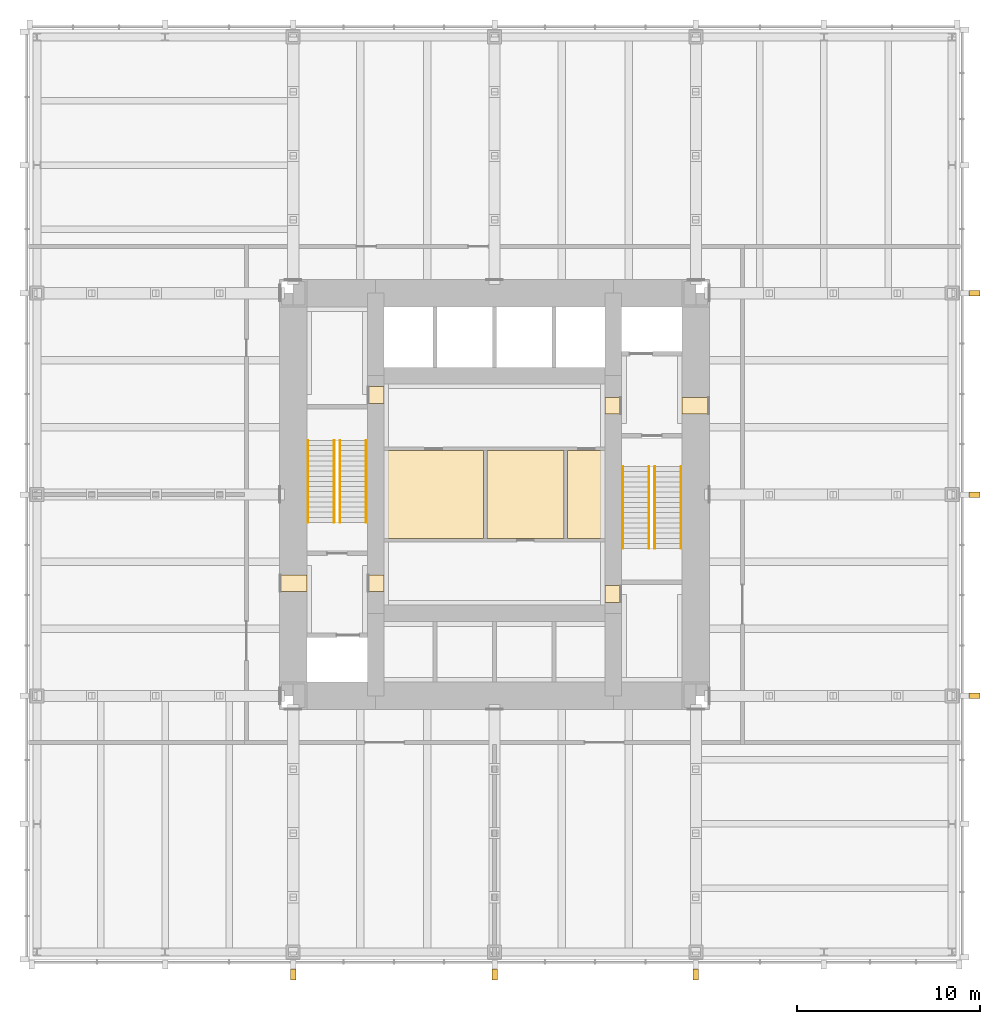
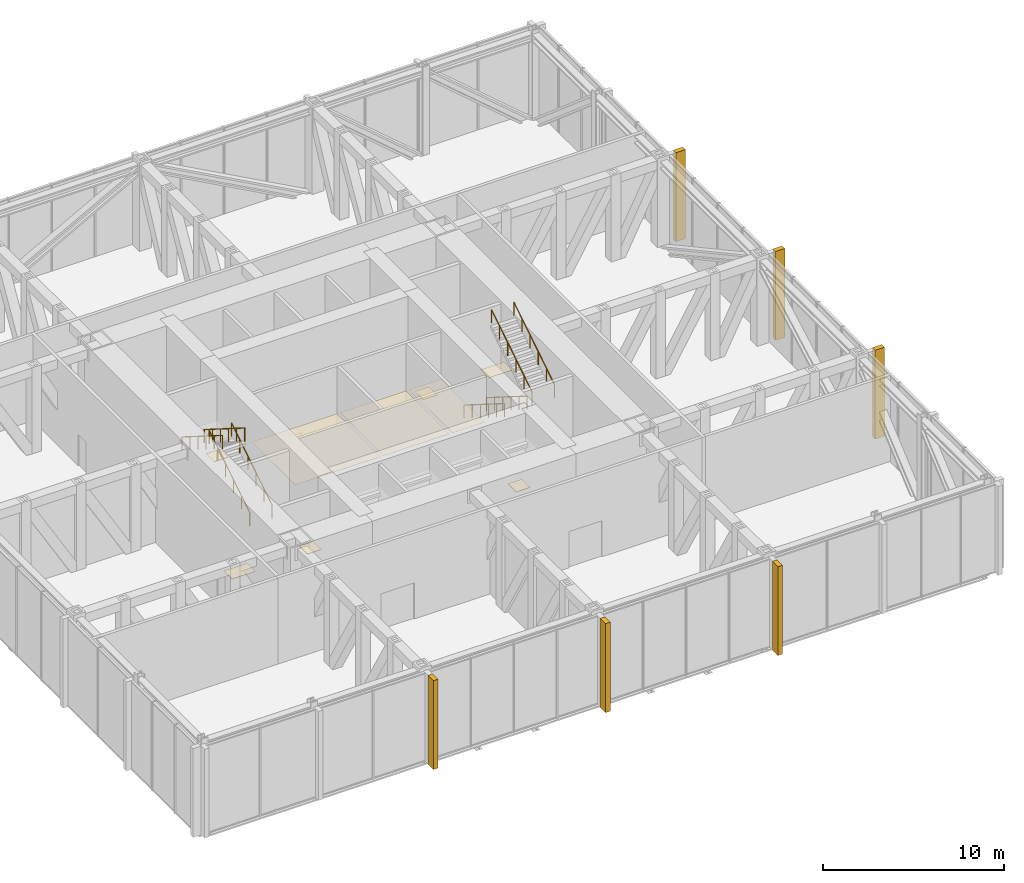
# One storey, part 13 of 13: 15 coverings, 8 railings.
"""IFC4 building model written with IfcOpenShell, lengths in metres."""

from ifc_helpers import new_model, si_unit, direction, frame, origin, origin_2d, place, context, subcontext, project, spatial, polyline, rectangle, circle, outline, extrude, material, layer, layer_set, type_object, element, save


model = new_model("IFC4")

# Units and contexts
model_context = context("Model", 3, precision=1e-05, world=origin(), true_north=direction((0.0, 1.0)))
body_context = subcontext(model_context, "Body", "Model", "MODEL_VIEW")
ifc_project = project(units=[si_unit("LENGTHUNIT", "METRE"), si_unit("AREAUNIT", "SQUARE_METRE"), si_unit("VOLUMEUNIT", "CUBIC_METRE"), si_unit("PLANEANGLEUNIT", "RADIAN"), si_unit("MASSUNIT", "GRAM", prefix="KILO")], contexts=[model_context])

# Site, building, storey
site_placement = place(None, origin())
site = spatial("IfcSite", under=ifc_project, at=site_placement, CompositionType="ELEMENT")
building_placement = place(site_placement, origin())
building = spatial("IfcBuilding", under=site, at=building_placement, Name="Trevanion Tower", CompositionType="ELEMENT")
storey_placement = place(building_placement, frame((0.0, 0.0, 89.800048828125)))
storey = spatial("IfcBuildingStorey", under=building, at=storey_placement, Name="L21", CompositionType="ELEMENT", Elevation=89.800048828125)

# Coverings
ifc_material_1 = material(Name="Moisture-resistant gypsum board on suspended metal furring", Category="gypsum")
ifc_layer_1 = layer(ifc_material_1, 0.01611328125)
ifc_layer_set_1 = layer_set([ifc_layer_1], Name="CL4 moisture-resistant board ceiling 16")
covering_type_1 = type_object("IfcCoveringType", Name="CL4 moisture-resistant board ceiling 16", PredefinedType="CEILING", material=ifc_layer_set_1)
covering_1_placement = place(storey_placement, frame((0.0, 0.0, 2.599853515625)))
element("IfcCovering", 1, at=covering_1_placement, inside=storey, type_object=covering_type_1, Name="CL4 L21-WCM", PredefinedType="CEILING", context=body_context, shape_type="SweptSolid", body=[
    extrude(outline(polyline([(-0.60009765625, -2.39990234375), (-0.60009765625, 2.39990234375), (-6.050048828125, 2.39990234375), (-6.050048828125, -2.39990234375), (-0.60009765625, -2.39990234375)])), origin(), (0.0, 0.0, 1.0), 0.01611328125),
])
covering_2_placement = place(storey_placement, frame((0.0, 0.0, 2.599853515625)))
element("IfcCovering", 2, at=covering_2_placement, inside=storey, type_object=covering_type_1, Name="CL4 L21-WCF", PredefinedType="CEILING", context=body_context, shape_type="SweptSolid", body=[
    extrude(outline(polyline([(3.800048828125, -2.39990234375), (3.800048828125, 2.39990234375), (-0.39990234375, 2.39990234375), (-0.39990234375, -2.39990234375), (3.800048828125, -2.39990234375)])), origin(), (0.0, 0.0, 1.0), 0.01611328125),
])
covering_3_placement = place(storey_placement, frame((0.0, 0.0, 2.599853515625)))
element("IfcCovering", 3, at=covering_3_placement, inside=storey, type_object=covering_type_1, Name="CL4 L21-WCA", PredefinedType="CEILING", context=body_context, shape_type="SweptSolid", body=[
    extrude(outline(polyline([(6.050048828125, -2.39990234375), (6.050048828125, 2.39990234375), (4.0, 2.39990234375), (4.0, -2.39990234375), (6.050048828125, -2.39990234375)])), origin(), (0.0, 0.0, 1.0), 0.01611328125),
])
ifc_material_2 = material(Name="Cast bronze fin on aluminium carrier", Category="aluminium")
covering_type_2 = type_object("IfcCoveringType", Name="F1 bronze fin", PredefinedType="CLADDING", material=ifc_material_2)
for number, where, z_axis, x_axis, name in (
    (4, (26.22509765625, -11.0, -0.18994140625), (0.0, 0.0, 1.0), (0.0, 1.0, 0.0), "F1 L21 east -11.0"),
    (5, (26.22509765625, 0.0, -0.18994140625), (0.0, 0.0, 1.0), (0.0, 1.0, 0.0), "F1 L21 east +0.0"),
    (6, (26.22509765625, 11.0, -0.18994140625), (0.0, 0.0, 1.0), (0.0, 1.0, 0.0), "F1 L21 east +11.0"),
    (7, (-11.0, -26.22509765625, -0.18994140625), (0.0, 0.0, 1.0), (1.0, 0.0, 0.0), "F1 L21 south -11.0"),
    (8, (0.0, -26.22509765625, -0.18994140625), (0.0, 0.0, 1.0), (1.0, 0.0, 0.0), "F1 L21 south +0.0"),
    (9, (11.0, -26.22509765625, -0.18994140625), (0.0, 0.0, 1.0), (1.0, 0.0, 0.0), "F1 L21 south +11.0"),
):
    element("IfcCovering", number, at=place(storey_placement, frame(where, z_axis=z_axis, x_axis=x_axis)), inside=storey, type_object=covering_type_2, Name=name, PredefinedType="CLADDING", context=body_context, shape_type="SweptSolid", body=[
        extrude(rectangle(XDim=0.300048828125, YDim=0.60009765625, at=origin_2d()), origin(), (0.0, 0.0, 1.0), 6.0),
    ])
ifc_material_3 = material(Name="Terrazzo, brass divider strips", Category="stone")
ifc_layer_2 = layer(ifc_material_3, 0.02001953125)
ifc_layer_set_2 = layer_set([ifc_layer_2], Name="FF1 terrazzo flooring")
covering_type_3 = type_object("IfcCoveringType", Name="FF1 terrazzo flooring", PredefinedType="FLOORING", material=ifc_layer_set_2)
covering_4_placement = place(storey_placement, origin())
element("IfcCovering", 10, at=covering_4_placement, inside=storey, type_object=covering_type_3, Name="FF1 threshold 21-001", PredefinedType="FLOORING", context=body_context, shape_type="SweptSolid", body=[
    extrude(outline(polyline([(11.75, 4.392578125), (11.75, 5.3076171875), (10.25, 5.3076171875), (10.25, 4.392578125), (11.75, 4.392578125)])), origin(), (0.0, 0.0, 1.0), 0.02001953125),
])
covering_5_placement = place(storey_placement, origin())
element("IfcCovering", 11, at=covering_5_placement, inside=storey, type_object=covering_type_3, Name="FF1 threshold 21-002", PredefinedType="FLOORING", context=body_context, shape_type="SweptSolid", body=[
    extrude(outline(polyline([(-11.75, -4.392578125), (-11.75, -5.3076171875), (-10.25, -5.3076171875), (-10.25, -4.392578125), (-11.75, -4.392578125)])), origin(), (0.0, 0.0, 1.0), 0.02001953125),
])
covering_6_placement = place(storey_placement, origin())
element("IfcCovering", 12, at=covering_6_placement, inside=storey, type_object=covering_type_3, Name="FF1 threshold 21-003", PredefinedType="FLOORING", context=body_context, shape_type="SweptSolid", body=[
    extrude(outline(polyline([(6.949951171875, 4.392578125), (6.949951171875, 5.3076171875), (6.050048828125, 5.3076171875), (6.050048828125, 4.392578125), (6.949951171875, 4.392578125)])), origin(), (0.0, 0.0, 1.0), 0.02001953125),
])
covering_7_placement = place(storey_placement, origin())
element("IfcCovering", 13, at=covering_7_placement, inside=storey, type_object=covering_type_3, Name="FF1 threshold 21-004", PredefinedType="FLOORING", context=body_context, shape_type="SweptSolid", body=[
    extrude(outline(polyline([(-6.949951171875, -4.392578125), (-6.949951171875, -5.3076171875), (-6.050048828125, -5.3076171875), (-6.050048828125, -4.392578125), (-6.949951171875, -4.392578125)])), origin(), (0.0, 0.0, 1.0), 0.02001953125),
])
covering_8_placement = place(storey_placement, origin())
element("IfcCovering", 14, at=covering_8_placement, inside=storey, type_object=covering_type_3, Name="FF1 threshold 21-009", PredefinedType="FLOORING", context=body_context, shape_type="SweptSolid", body=[
    extrude(outline(polyline([(6.949951171875, -5.889892578125), (6.949951171875, -4.97509765625), (6.050048828125, -4.97509765625), (6.050048828125, -5.889892578125), (6.949951171875, -5.889892578125)])), origin(), (0.0, 0.0, 1.0), 0.02001953125),
])
covering_9_placement = place(storey_placement, origin())
element("IfcCovering", 15, at=covering_9_placement, inside=storey, type_object=covering_type_3, Name="FF1 threshold 21-010", PredefinedType="FLOORING", context=body_context, shape_type="SweptSolid", body=[
    extrude(outline(polyline([(-6.949951171875, 5.889892578125), (-6.949951171875, 4.97509765625), (-6.050048828125, 4.97509765625), (-6.050048828125, 5.889892578125), (-6.949951171875, 5.889892578125)])), origin(), (0.0, 0.0, 1.0), 0.02001953125),
])

# Railings
ifc_material_4 = material(Name="Stainless steel tube 40 mm", Category="steel")
railing_type = type_object("IfcRailingType", Name="HR1 handrail", PredefinedType="HANDRAIL", material=ifc_material_4)
for number, where, name in (
    (16, (7.010009765625, 1.52490234375, 0.176513671875), "HR1 ST1 L21 flight 1"),
    (17, (8.43994140625, 1.52490234375, 0.176513671875), "HR1 ST1 L21 flight 1"),
):
    element("IfcRailing", number, at=place(storey_placement, frame(where)), inside=storey, type_object=railing_type, Name=name, PredefinedType="HANDRAIL", context=body_context, shape_type="SweptSolid", body=[
        extrude(circle(Radius=0.02001953125, at=origin_2d()), frame((0.0, 0.0, 0.8798828125), z_axis=(0.0, -0.845997938375, 0.533186166611), x_axis=(1.0, 0.0, 0.0)), (0.0, 0.0, 1.0), 5.29541015625),
        extrude(circle(Radius=0.01513671875, at=origin_2d()), origin(), (0.0, 0.0, 1.0), 0.85986328125),
        extrude(circle(Radius=0.01513671875, at=origin_2d()), frame((0.0, -0.89599609375, 0.564697265625)), (0.0, 0.0, 1.0), 0.85986328125),
        extrude(circle(Radius=0.01513671875, at=origin_2d()), frame((0.0, -1.7919921875, 1.12939453125)), (0.0, 0.0, 1.0), 0.85986328125),
        extrude(circle(Radius=0.01513671875, at=origin_2d()), frame((0.0, -2.68798828125, 1.694091796875)), (0.0, 0.0, 1.0), 0.85986328125),
        extrude(circle(Radius=0.01513671875, at=origin_2d()), frame((0.0, -3.583984375, 2.2587890625)), (0.0, 0.0, 1.0), 0.85986328125),
        extrude(circle(Radius=0.01513671875, at=origin_2d()), frame((0.0, -4.47998046875, 2.823486328125)), (0.0, 0.0, 1.0), 0.85986328125),
    ])
for number, where, name in (
    (18, (8.760009765625, -2.955078125, 3.176513671875), "HR1 ST1 L21 flight 2"),
    (19, (10.18994140625, -2.955078125, 3.176513671875), "HR1 ST1 L21 flight 2"),
    (20, (-7.010009765625, -1.52490234375, 0.176513671875), "HR1 ST2 L21 flight 1"),
    (21, (-8.43994140625, -1.52490234375, 0.176513671875), "HR1 ST2 L21 flight 1"),
):
    element("IfcRailing", number, at=place(storey_placement, frame(where)), inside=storey, type_object=railing_type, Name=name, PredefinedType="HANDRAIL", context=body_context, shape_type="SweptSolid", body=[
        extrude(circle(Radius=0.02001953125, at=origin_2d()), frame((0.0, 0.0, 0.8798828125), z_axis=(0.0, 0.845997938375, 0.533186166611), x_axis=(-1.0, 0.0, 0.0)), (0.0, 0.0, 1.0), 5.29541015625),
        extrude(circle(Radius=0.01513671875, at=origin_2d()), origin(), (0.0, 0.0, 1.0), 0.85986328125),
        extrude(circle(Radius=0.01513671875, at=origin_2d()), frame((0.0, 0.89599609375, 0.564697265625)), (0.0, 0.0, 1.0), 0.85986328125),
        extrude(circle(Radius=0.01513671875, at=origin_2d()), frame((0.0, 1.7919921875, 1.12939453125)), (0.0, 0.0, 1.0), 0.85986328125),
        extrude(circle(Radius=0.01513671875, at=origin_2d()), frame((0.0, 2.68798828125, 1.694091796875)), (0.0, 0.0, 1.0), 0.85986328125),
        extrude(circle(Radius=0.01513671875, at=origin_2d()), frame((0.0, 3.583984375, 2.2587890625)), (0.0, 0.0, 1.0), 0.85986328125),
        extrude(circle(Radius=0.01513671875, at=origin_2d()), frame((0.0, 4.47998046875, 2.823486328125)), (0.0, 0.0, 1.0), 0.85986328125),
    ])
for number, where, name in (
    (22, (-8.760009765625, 2.955078125, 3.176513671875), "HR1 ST2 L21 flight 2"),
    (23, (-10.18994140625, 2.955078125, 3.176513671875), "HR1 ST2 L21 flight 2"),
):
    element("IfcRailing", number, at=place(storey_placement, frame(where)), inside=storey, type_object=railing_type, Name=name, PredefinedType="HANDRAIL", context=body_context, shape_type="SweptSolid", body=[
        extrude(circle(Radius=0.02001953125, at=origin_2d()), frame((0.0, 0.0, 0.8798828125), z_axis=(0.0, -0.845997938375, 0.533186166611), x_axis=(1.0, 0.0, 0.0)), (0.0, 0.0, 1.0), 5.29541015625),
        extrude(circle(Radius=0.01513671875, at=origin_2d()), origin(), (0.0, 0.0, 1.0), 0.85986328125),
        extrude(circle(Radius=0.01513671875, at=origin_2d()), frame((0.0, -0.89599609375, 0.564697265625)), (0.0, 0.0, 1.0), 0.85986328125),
        extrude(circle(Radius=0.01513671875, at=origin_2d()), frame((0.0, -1.7919921875, 1.12939453125)), (0.0, 0.0, 1.0), 0.85986328125),
        extrude(circle(Radius=0.01513671875, at=origin_2d()), frame((0.0, -2.68798828125, 1.694091796875)), (0.0, 0.0, 1.0), 0.85986328125),
        extrude(circle(Radius=0.01513671875, at=origin_2d()), frame((0.0, -3.583984375, 2.2587890625)), (0.0, 0.0, 1.0), 0.85986328125),
        extrude(circle(Radius=0.01513671875, at=origin_2d()), frame((0.0, -4.47998046875, 2.823486328125)), (0.0, 0.0, 1.0), 0.85986328125),
    ])

save(model, "model.ifc")
